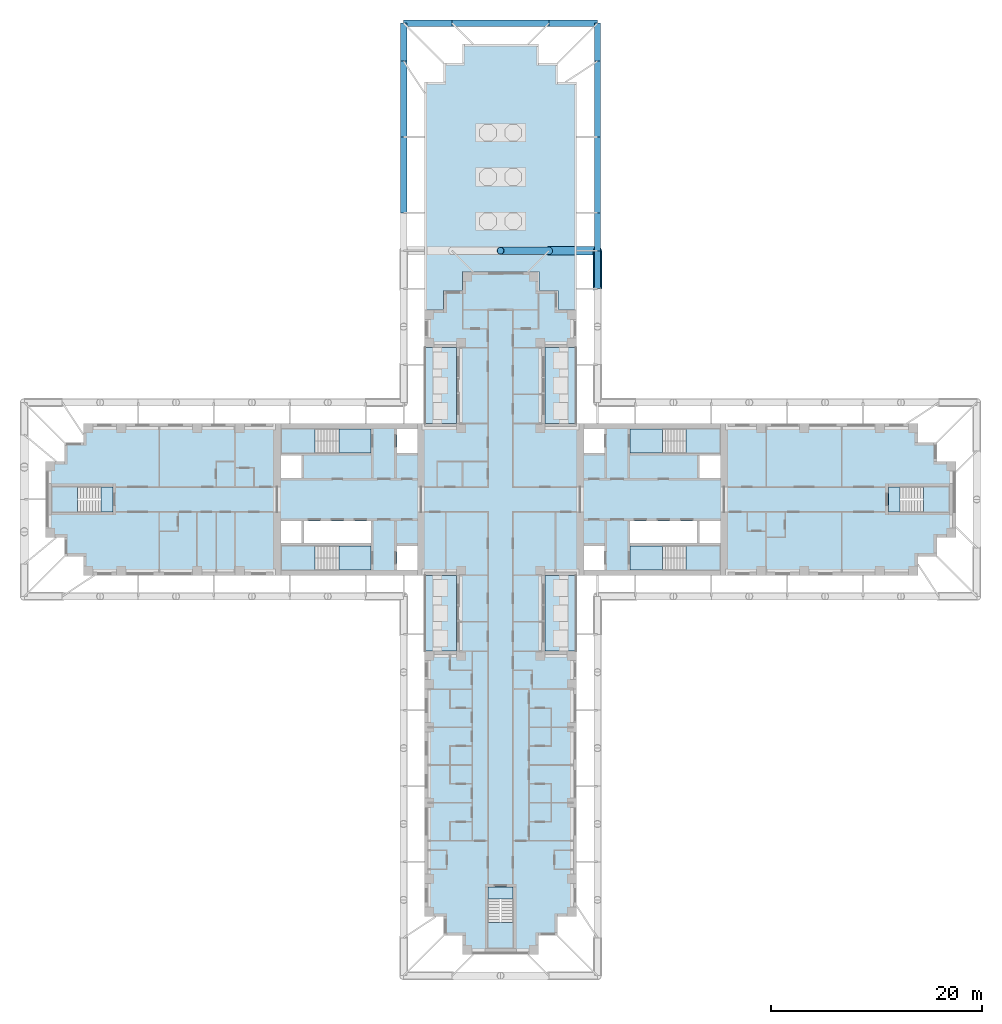
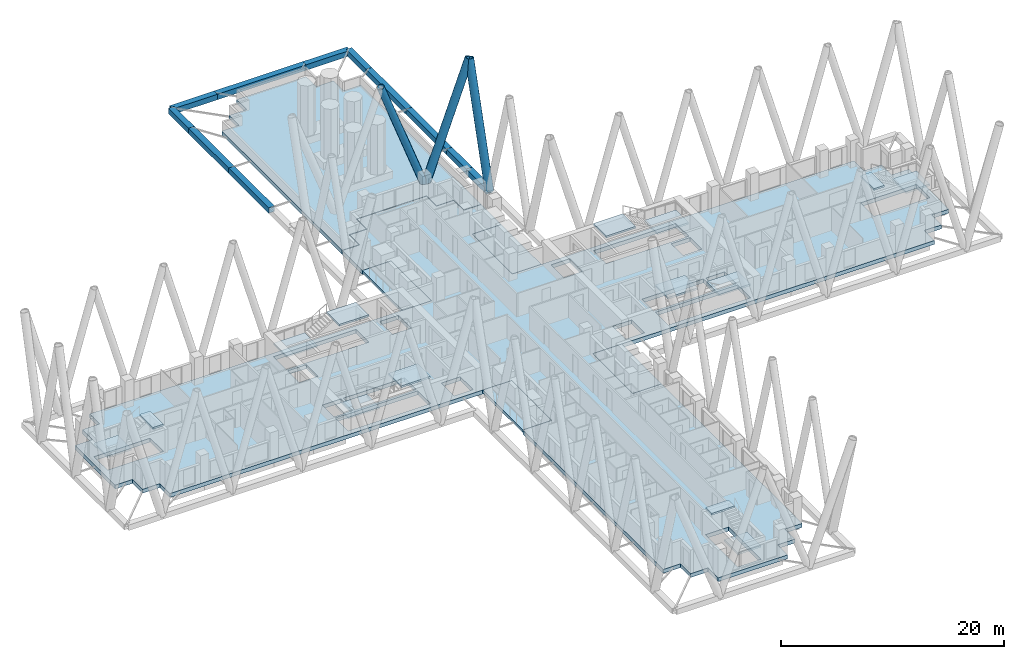
# One storey, part 3 of 16: 20 slabs, 14 members, 7 elements without a shape of their own.
"""IFC4 building model written with IfcOpenShell, lengths in metres."""

from ifc_helpers import new_model, si_unit, direction, frame, origin, origin_2d, place, context, subcontext, project, spatial, polyline, hollow_rectangle, hollow_circle, outline, extrude, material, layer, layer_set, material_profile, profile_set, type_object, element, aggregate, save


model = new_model("IFC4")

# Units and contexts
model_context = context("Model", 3, precision=1e-05, world=origin(), true_north=direction((0.0, 1.0)))
body_context = subcontext(model_context, "Body", "Model", "MODEL_VIEW")
ifc_project = project(units=[si_unit("LENGTHUNIT", "METRE"), si_unit("AREAUNIT", "SQUARE_METRE"), si_unit("VOLUMEUNIT", "CUBIC_METRE"), si_unit("PLANEANGLEUNIT", "RADIAN"), si_unit("MASSUNIT", "GRAM", prefix="KILO")], contexts=[model_context])

# Site, building, storey
site_placement = place(None, origin())
site = spatial("IfcSite", under=ifc_project, at=site_placement, CompositionType="ELEMENT")
building_placement = place(site_placement, origin())
building = spatial("IfcBuilding", under=site, at=building_placement, Name="Fustian Cross Tower", CompositionType="ELEMENT")
storey_placement = place(building_placement, frame((0.0, 0.0, 66.89990234375)))
storey = spatial("IfcBuildingStorey", under=building, at=storey_placement, Name="L20", CompositionType="ELEMENT", Elevation=66.89990234375)

# Members
ifc_material_1 = material(Name="Steel S355", Category="steel")
ifc_material_profile_1 = material_profile(ifc_material_1, hollow_circle(Radius=0.355712890625, WallThickness=0.031982421875, at=origin_2d()), Name="CHS 711x32")
ifc_profile_set_1 = profile_set([ifc_material_profile_1], Name="Steel S355")
member_type_1 = type_object("IfcMemberType", Name="DIAGRID DIAGONAL CHS 711x32", PredefinedType="BRACE", material=ifc_profile_set_1)
member_1_placement = place(storey_placement, frame((4.60009765625, 23.60009765625, -0.39990234375), z_axis=(-0.347815721372, 0.0, 0.937562917338), x_axis=(0.0, -1.0, 0.0)))
element("IfcMember", 1, at=member_1_placement, inside=storey, type_object=member_type_1, Name="Diagrid diagonal N-end 02", PredefinedType="BRACE", context=body_context, shape_type="SweptSolid", body=[
    extrude(hollow_circle(Radius=0.355712890625, WallThickness=0.031982421875, at=origin_2d()), origin(), (0.0, 0.0, 1.0), 13.2255859375),
])
ifc_material_2 = material(Name="Steel S355", Category="steel")
ifc_material_profile_2 = material_profile(ifc_material_2, hollow_circle(Radius=0.406494140625, WallThickness=0.0400390625, at=origin_2d()), Name="CHS 813x40")
ifc_profile_set_2 = profile_set([ifc_material_profile_2], Name="Steel S355")
member_type_2 = type_object("IfcMemberType", Name="DIAGRID DIAGONAL CHS 813x40", PredefinedType="BRACE", material=ifc_profile_set_2)
member_2_placement = place(storey_placement, frame((9.199951171875, 20.0, -0.39990234375), z_axis=(0.0, 0.278819195264, 0.960343613689), x_axis=(-1.0, 0.0, 0.0)))
element("IfcMember", 2, at=member_2_placement, inside=storey, type_object=member_type_2, Name="Diagrid diagonal N-E 04", PredefinedType="BRACE", context=body_context, shape_type="SweptSolid", body=[
    extrude(hollow_circle(Radius=0.406494140625, WallThickness=0.0400390625, at=origin_2d()), origin(), (0.0, 0.0, 1.0), 12.911865234375),
])
member_3_placement = place(storey_placement, frame((4.60009765625, 23.60009765625, -0.39990234375), z_axis=(0.347799494783, 0.0, 0.937568936894), x_axis=(0.0, 1.0, 0.0)))
element("IfcMember", 3, at=member_3_placement, inside=storey, type_object=member_type_2, Name="Diagrid diagonal N-end 01", PredefinedType="BRACE", context=body_context, shape_type="SweptSolid", body=[
    extrude(hollow_circle(Radius=0.406494140625, WallThickness=0.0400390625, at=origin_2d()), origin(), (0.0, 0.0, 1.0), 13.2255859375),
])
ifc_material_3 = material(Name="Steel S355", Category="steel")
ifc_material_profile_3 = material_profile(ifc_material_3, hollow_rectangle(XDim=0.60009765625, YDim=0.60009765625, WallThickness=0.030029296875, at=origin_2d()), Name="RHS 600x600x30")
ifc_profile_set_3 = profile_set([ifc_material_profile_3], Name="Steel S355")
member_type_3 = type_object("IfcMemberType", Name="DIAGRID RING RHS 600x600x30", PredefinedType="MEMBER", material=ifc_profile_set_3)
member_4_placement = place(storey_placement, frame((9.199951171875, 20.0, -0.39990234375), z_axis=(0.0, 1.0, 0.0), x_axis=(-1.0, 0.0, 0.0)))
element("IfcMember", 4, at=member_4_placement, inside=storey, type_object=member_type_3, Name="Diagrid ring L20-10 L20-11", PredefinedType="MEMBER", context=body_context, shape_type="SweptSolid", body=[
    extrude(hollow_rectangle(XDim=0.60009765625, YDim=0.60009765625, WallThickness=0.030029296875, at=origin_2d()), origin(), (0.0, 0.0, 1.0), 3.60009765625),
])
member_5_placement = place(storey_placement, frame((9.199951171875, 23.60009765625, -0.39990234375), z_axis=(0.0, 1.0, 0.0), x_axis=(-1.0, 0.0, 0.0)))
element("IfcMember", 5, at=member_5_placement, inside=storey, type_object=member_type_3, Name="Diagrid ring L20-11 L20-12", PredefinedType="MEMBER", context=body_context, shape_type="SweptSolid", body=[
    extrude(hollow_rectangle(XDim=0.60009765625, YDim=0.60009765625, WallThickness=0.030029296875, at=origin_2d()), origin(), (0.0, 0.0, 1.0), 3.599853515625),
])
member_6_placement = place(storey_placement, frame((9.199951171875, 27.199951171875, -0.39990234375), z_axis=(0.0, 1.0, 0.0), x_axis=(-1.0, 0.0, 0.0)))
element("IfcMember", 6, at=member_6_placement, inside=storey, type_object=member_type_3, Name="Diagrid ring L20-12 L20-13", PredefinedType="MEMBER", context=body_context, shape_type="SweptSolid", body=[
    extrude(hollow_rectangle(XDim=0.60009765625, YDim=0.60009765625, WallThickness=0.030029296875, at=origin_2d()), origin(), (0.0, 0.0, 1.0), 7.199951171875),
])
member_7_placement = place(storey_placement, frame((9.199951171875, 34.39990234375, -0.39990234375), z_axis=(0.0, 1.0, 0.0), x_axis=(-1.0, 0.0, 0.0)))
element("IfcMember", 7, at=member_7_placement, inside=storey, type_object=member_type_3, Name="Diagrid ring L20-13 L20-14", PredefinedType="MEMBER", context=body_context, shape_type="SweptSolid", body=[
    extrude(hollow_rectangle(XDim=0.60009765625, YDim=0.60009765625, WallThickness=0.030029296875, at=origin_2d()), origin(), (0.0, 0.0, 1.0), 7.2001953125),
])
member_8_placement = place(storey_placement, frame((9.199951171875, 41.60009765625, -0.39990234375), z_axis=(0.0, 1.0, 0.0), x_axis=(-1.0, 0.0, 0.0)))
element("IfcMember", 8, at=member_8_placement, inside=storey, type_object=member_type_3, Name="Diagrid ring L20-14 L20-15", PredefinedType="MEMBER", context=body_context, shape_type="SweptSolid", body=[
    extrude(hollow_rectangle(XDim=0.60009765625, YDim=0.60009765625, WallThickness=0.030029296875, at=origin_2d()), origin(), (0.0, 0.0, 1.0), 3.599853515625),
])
member_9_placement = place(storey_placement, frame((9.199951171875, 45.199951171875, -0.39990234375), z_axis=(-1.0, 0.0, 0.0), x_axis=(0.0, -1.0, 0.0)))
element("IfcMember", 9, at=member_9_placement, inside=storey, type_object=member_type_3, Name="Diagrid ring L20-15 L20-17", PredefinedType="MEMBER", context=body_context, shape_type="SweptSolid", body=[
    extrude(hollow_rectangle(XDim=0.60009765625, YDim=0.60009765625, WallThickness=0.030029296875, at=origin_2d()), origin(), (0.0, 0.0, 1.0), 4.599853515625),
])
member_10_placement = place(storey_placement, frame((4.60009765625, 45.199951171875, -0.39990234375), z_axis=(-1.0, 0.0, 0.0), x_axis=(0.0, -1.0, 0.0)))
element("IfcMember", 10, at=member_10_placement, inside=storey, type_object=member_type_3, Name="Diagrid ring L20-17 L20-18", PredefinedType="MEMBER", context=body_context, shape_type="SweptSolid", body=[
    extrude(hollow_rectangle(XDim=0.60009765625, YDim=0.60009765625, WallThickness=0.030029296875, at=origin_2d()), origin(), (0.0, 0.0, 1.0), 9.2001953125),
])
member_11_placement = place(storey_placement, frame((-4.60009765625, 45.199951171875, -0.39990234375), z_axis=(-1.0, 0.0, 0.0), x_axis=(0.0, -1.0, 0.0)))
element("IfcMember", 11, at=member_11_placement, inside=storey, type_object=member_type_3, Name="Diagrid ring L20-18 L20-20", PredefinedType="MEMBER", context=body_context, shape_type="SweptSolid", body=[
    extrude(hollow_rectangle(XDim=0.60009765625, YDim=0.60009765625, WallThickness=0.030029296875, at=origin_2d()), origin(), (0.0, 0.0, 1.0), 4.599853515625),
])
member_12_placement = place(storey_placement, frame((-9.199951171875, 45.199951171875, -0.39990234375), z_axis=(0.0, -1.0, 0.0), x_axis=(1.0, 0.0, 0.0)))
element("IfcMember", 12, at=member_12_placement, inside=storey, type_object=member_type_3, Name="Diagrid ring L20-20 L20-21", PredefinedType="MEMBER", context=body_context, shape_type="SweptSolid", body=[
    extrude(hollow_rectangle(XDim=0.60009765625, YDim=0.60009765625, WallThickness=0.030029296875, at=origin_2d()), origin(), (0.0, 0.0, 1.0), 3.599853515625),
])
member_13_placement = place(storey_placement, frame((-9.199951171875, 41.60009765625, -0.39990234375), z_axis=(0.0, -1.0, 0.0), x_axis=(1.0, 0.0, 0.0)))
element("IfcMember", 13, at=member_13_placement, inside=storey, type_object=member_type_3, Name="Diagrid ring L20-21 L20-22", PredefinedType="MEMBER", context=body_context, shape_type="SweptSolid", body=[
    extrude(hollow_rectangle(XDim=0.60009765625, YDim=0.60009765625, WallThickness=0.030029296875, at=origin_2d()), origin(), (0.0, 0.0, 1.0), 7.2001953125),
])
member_14_placement = place(storey_placement, frame((-9.199951171875, 34.39990234375, -0.39990234375), z_axis=(0.0, -1.0, 0.0), x_axis=(1.0, 0.0, 0.0)))
element("IfcMember", 14, at=member_14_placement, inside=storey, type_object=member_type_3, Name="Diagrid ring L20-22 L20-23", PredefinedType="MEMBER", context=body_context, shape_type="SweptSolid", body=[
    extrude(hollow_rectangle(XDim=0.60009765625, YDim=0.60009765625, WallThickness=0.030029296875, at=origin_2d()), origin(), (0.0, 0.0, 1.0), 7.199951171875),
])

# Slabs
ifc_material_4 = material(Name="Concrete C40/50", Category="concrete")
ifc_layer_1 = layer(ifc_material_4, 0.300048828125)
ifc_layer_set_1 = layer_set([ifc_layer_1], Name="Concrete C40/50")
slab_type_1 = type_object("IfcSlabType", Name="BS1 BALCONY SLAB 300", PredefinedType="FLOOR", material=ifc_layer_set_1)
slab_1_placement = place(storey_placement, frame((0.0, 0.0, -0.2998046875)))
element("IfcSlab", 15, at=slab_1_placement, inside=storey, type_object=slab_type_1, Name="Balcony slab", PredefinedType="FLOOR", context=body_context, shape_type="SweptSolid", body=[
    extrude(outline(polyline([(4.199951171875, 7.199951171875), (7.199951171875, 7.199951171875), (7.199951171875, 14.39990234375), (4.199951171875, 14.39990234375), (4.199951171875, 7.199951171875)])), origin(), (0.0, 0.0, 1.0), 0.2998046875),
])
slab_2_placement = place(storey_placement, frame((0.0, 0.0, -0.2998046875)))
element("IfcSlab", 16, at=slab_2_placement, inside=storey, type_object=slab_type_1, Name="Balcony slab", PredefinedType="FLOOR", context=body_context, shape_type="SweptSolid", body=[
    extrude(outline(polyline([(-7.199951171875, 7.199951171875), (-4.199951171875, 7.199951171875), (-4.199951171875, 14.39990234375), (-7.199951171875, 14.39990234375), (-7.199951171875, 7.199951171875)])), origin(), (0.0, 0.0, 1.0), 0.2998046875),
])
slab_3_placement = place(storey_placement, frame((0.0, 0.0, -0.2998046875)))
element("IfcSlab", 17, at=slab_3_placement, inside=storey, type_object=slab_type_1, Name="Balcony slab", PredefinedType="FLOOR", context=body_context, shape_type="SweptSolid", body=[
    extrude(outline(polyline([(4.199951171875, -14.39990234375), (7.199951171875, -14.39990234375), (7.199951171875, -7.199951171875), (4.199951171875, -7.199951171875), (4.199951171875, -14.39990234375)])), origin(), (0.0, 0.0, 1.0), 0.2998046875),
])
slab_4_placement = place(storey_placement, frame((0.0, 0.0, -0.2998046875)))
element("IfcSlab", 18, at=slab_4_placement, inside=storey, type_object=slab_type_1, Name="Balcony slab", PredefinedType="FLOOR", context=body_context, shape_type="SweptSolid", body=[
    extrude(outline(polyline([(-7.199951171875, -14.39990234375), (-4.199951171875, -14.39990234375), (-4.199951171875, -7.199951171875), (-7.199951171875, -7.199951171875), (-7.199951171875, -14.39990234375)])), origin(), (0.0, 0.0, 1.0), 0.2998046875),
])
ifc_material_5 = material(Name="Concrete C40/50", Category="concrete")
ifc_layer_2 = layer(ifc_material_5, 0.425048828125)
ifc_layer_set_2 = layer_set([ifc_layer_2], Name="Concrete C40/50")
slab_type_2 = type_object("IfcSlabType", Name="FLAT SLAB 425", PredefinedType="FLOOR", material=ifc_layer_set_2)
slab_5_placement = place(storey_placement, frame((0.0, 0.0, -0.4248046875)))
element("IfcSlab", 19, at=slab_5_placement, inside=storey, type_object=slab_type_2, Name="FLOOR SLAB L20-1", PredefinedType="FLOOR", context=body_context, shape_type="SweptSolid", body=[
    extrude(outline(polyline([(-4.199951171875, -7.199951171875), (-39.60009765625, -7.199951171875), (-39.60009765625, -5.39990234375), (-41.39990234375, -5.39990234375), (-41.39990234375, -3.60009765625), (-43.199951171875, -3.60009765625), (-43.199951171875, 3.60009765625), (-41.39990234375, 3.60009765625), (-41.39990234375, 5.39990234375), (-39.60009765625, 5.39990234375), (-39.60009765625, 7.199951171875), (-4.199951171875, 7.199951171875), (-4.199951171875, 14.39990234375), (-7.199951171875, 14.39990234375), (-7.199951171875, 18.0), (-5.39990234375, 18.0), (-5.39990234375, 19.800048828125), (-3.60009765625, 19.800048828125), (-3.60009765625, 21.60009765625), (3.60009765625, 21.60009765625), (3.60009765625, 19.800048828125), (5.39990234375, 19.800048828125), (5.39990234375, 18.0), (7.199951171875, 18.0), (7.199951171875, 14.39990234375), (4.199951171875, 14.39990234375), (4.199951171875, 7.199951171875), (39.60009765625, 7.199951171875), (39.60009765625, 5.39990234375), (41.39990234375, 5.39990234375), (41.39990234375, 3.60009765625), (43.199951171875, 3.60009765625), (43.199951171875, -3.60009765625), (41.39990234375, -3.60009765625), (41.39990234375, -5.39990234375), (39.60009765625, -5.39990234375), (39.60009765625, -7.199951171875), (4.199951171875, -7.199951171875), (4.199951171875, -14.39990234375), (7.199951171875, -14.39990234375), (7.199951171875, -39.60009765625), (5.39990234375, -39.60009765625), (5.39990234375, -41.39990234375), (3.60009765625, -41.39990234375), (3.60009765625, -43.199951171875), (-3.60009765625, -43.199951171875), (-3.60009765625, -41.39990234375), (-5.39990234375, -41.39990234375), (-5.39990234375, -39.60009765625), (-7.199951171875, -39.60009765625), (-7.199951171875, -14.39990234375), (-4.199951171875, -14.39990234375), (-4.199951171875, -7.199951171875)]), holes=[polyline([(20.85009765625, -2.050048828125), (18.89990234375, -2.050048828125), (18.89990234375, -4.14990234375), (20.85009765625, -4.14990234375), (20.85009765625, -2.050048828125)]), polyline([(20.85009765625, 2.050048828125), (20.85009765625, 4.14990234375), (18.89990234375, 4.14990234375), (18.89990234375, 2.050048828125), (20.85009765625, 2.050048828125)]), polyline([(7.89990234375, 4.39990234375), (9.85009765625, 4.39990234375), (9.85009765625, 6.699951171875), (7.89990234375, 6.699951171875), (7.89990234375, 4.39990234375)]), polyline([(7.89990234375, -4.39990234375), (7.89990234375, -6.699951171875), (9.85009765625, -6.699951171875), (9.85009765625, -4.39990234375), (7.89990234375, -4.39990234375)]), polyline([(-18.89990234375, -2.050048828125), (-20.85009765625, -2.050048828125), (-20.85009765625, -4.14990234375), (-18.89990234375, -4.14990234375), (-18.89990234375, -2.050048828125)]), polyline([(-18.89990234375, 2.050048828125), (-18.89990234375, 4.14990234375), (-20.85009765625, 4.14990234375), (-20.85009765625, 2.050048828125), (-18.89990234375, 2.050048828125)]), polyline([(-9.85009765625, 4.39990234375), (-7.89990234375, 4.39990234375), (-7.89990234375, 6.699951171875), (-9.85009765625, 6.699951171875), (-9.85009765625, 4.39990234375)]), polyline([(-9.85009765625, -4.39990234375), (-9.85009765625, -6.699951171875), (-7.89990234375, -6.699951171875), (-7.89990234375, -4.39990234375), (-9.85009765625, -4.39990234375)]), polyline([(18.64990234375, -2.050048828125), (12.300048828125, -2.050048828125), (12.300048828125, -4.14990234375), (18.64990234375, -4.14990234375), (18.64990234375, -2.050048828125)]), polyline([(-12.300048828125, -4.14990234375), (-12.300048828125, -2.050048828125), (-18.64990234375, -2.050048828125), (-18.64990234375, -4.14990234375), (-12.300048828125, -4.14990234375)]), polyline([(12.300048828125, 4.39990234375), (20.85009765625, 4.39990234375), (20.85009765625, 6.699951171875), (12.300048828125, 6.699951171875), (12.300048828125, 4.39990234375)]), polyline([(12.300048828125, -4.39990234375), (12.300048828125, -6.699951171875), (20.85009765625, -6.699951171875), (20.85009765625, -4.39990234375), (12.300048828125, -4.39990234375)]), polyline([(-12.300048828125, 6.699951171875), (-20.85009765625, 6.699951171875), (-20.85009765625, 4.39990234375), (-12.300048828125, 4.39990234375), (-12.300048828125, 6.699951171875)]), polyline([(-12.300048828125, -6.699951171875), (-12.300048828125, -4.39990234375), (-20.85009765625, -4.39990234375), (-20.85009765625, -6.699951171875), (-12.300048828125, -6.699951171875)]), polyline([(-1.199951171875, -42.60009765625), (1.199951171875, -42.60009765625), (1.199951171875, -36.800048828125), (-1.199951171875, -36.800048828125), (-1.199951171875, -42.60009765625)]), polyline([(36.800048828125, 1.199951171875), (36.800048828125, -1.199951171875), (42.60009765625, -1.199951171875), (42.60009765625, 1.199951171875), (36.800048828125, 1.199951171875)]), polyline([(-36.800048828125, 1.199951171875), (-42.60009765625, 1.199951171875), (-42.60009765625, -1.199951171875), (-36.800048828125, -1.199951171875), (-36.800048828125, 1.199951171875)])]), origin(), (0.0, 0.0, 1.0), 0.4248046875),
])

# Stair, slabs
ifc_material_6 = material(Name="Concrete C50/60", Category="concrete")
stair_type_1 = type_object("IfcStairType", Name="STAIR 1150 HALF TURN", PredefinedType="HALF_TURN_STAIR", material=ifc_material_6)
stair_1_placement = place(storey_placement, origin())
stair_1 = element("IfcStair", 20, at=stair_1_placement, inside=storey, type_object=stair_type_1, Name="Stair ST1", PredefinedType="HALF_TURN_STAIR")
ifc_material_7 = material(Name="Concrete C50/60", Category="concrete")
ifc_layer_3 = layer(ifc_material_7, 0.199951171875)
ifc_layer_set_3 = layer_set([ifc_layer_3], Name="Concrete C50/60")
slab_type_3 = type_object("IfcSlabType", Name="STAIR LANDING", PredefinedType="LANDING", material=ifc_layer_set_3)
slab_6_placement = place(storey_placement, frame((0.0, 0.0, 1.300048828125)))
slab_6 = element("IfcSlab", 21, at=slab_6_placement, type_object=slab_type_3, Name="ST1 landing 1", PredefinedType="LANDING", context=body_context, shape_type="SweptSolid", body=[
    extrude(outline(polyline([(17.590087890625, 4.39990234375), (20.85009765625, 4.39990234375), (20.85009765625, 6.699951171875), (17.590087890625, 6.699951171875), (17.590087890625, 4.39990234375)])), origin(), (0.0, 0.0, 1.0), 0.199951171875),
])
slab_7_placement = place(storey_placement, frame((0.0, 0.0, 2.800048828125)))
slab_7 = element("IfcSlab", 22, at=slab_7_placement, type_object=slab_type_3, Name="ST1 landing 2", PredefinedType="LANDING", context=body_context, shape_type="SweptSolid", body=[
    extrude(outline(polyline([(12.300048828125, 4.39990234375), (15.35009765625, 4.39990234375), (15.35009765625, 6.699951171875), (12.300048828125, 6.699951171875), (12.300048828125, 4.39990234375)])), origin(), (0.0, 0.0, 1.0), 0.199951171875),
])
aggregate(stair_1, [slab_6, slab_7])

stair_2_placement = place(storey_placement, origin())
stair_2 = element("IfcStair", 23, at=stair_2_placement, inside=storey, type_object=stair_type_1, Name="Stair ST2", PredefinedType="HALF_TURN_STAIR")
slab_8_placement = place(storey_placement, frame((0.0, 0.0, 1.300048828125)))
slab_8 = element("IfcSlab", 24, at=slab_8_placement, type_object=slab_type_3, Name="ST2 landing 1", PredefinedType="LANDING", context=body_context, shape_type="SweptSolid", body=[
    extrude(outline(polyline([(17.590087890625, -4.39990234375), (20.85009765625, -4.39990234375), (20.85009765625, -6.699951171875), (17.590087890625, -6.699951171875), (17.590087890625, -4.39990234375)])), origin(), (0.0, 0.0, 1.0), 0.199951171875),
])
slab_9_placement = place(storey_placement, frame((0.0, 0.0, 2.800048828125)))
slab_9 = element("IfcSlab", 25, at=slab_9_placement, type_object=slab_type_3, Name="ST2 landing 2", PredefinedType="LANDING", context=body_context, shape_type="SweptSolid", body=[
    extrude(outline(polyline([(12.300048828125, -4.39990234375), (15.35009765625, -4.39990234375), (15.35009765625, -6.699951171875), (12.300048828125, -6.699951171875), (12.300048828125, -4.39990234375)])), origin(), (0.0, 0.0, 1.0), 0.199951171875),
])
aggregate(stair_2, [slab_8, slab_9])

stair_3_placement = place(storey_placement, origin())
stair_3 = element("IfcStair", 26, at=stair_3_placement, inside=storey, type_object=stair_type_1, Name="Stair ST3", PredefinedType="HALF_TURN_STAIR")
slab_10_placement = place(storey_placement, frame((0.0, 0.0, 1.300048828125)))
slab_10 = element("IfcSlab", 27, at=slab_10_placement, type_object=slab_type_3, Name="ST3 landing 1", PredefinedType="LANDING", context=body_context, shape_type="SweptSolid", body=[
    extrude(outline(polyline([(-17.590087890625, 4.39990234375), (-20.85009765625, 4.39990234375), (-20.85009765625, 6.699951171875), (-17.590087890625, 6.699951171875), (-17.590087890625, 4.39990234375)])), origin(), (0.0, 0.0, 1.0), 0.199951171875),
])
slab_11_placement = place(storey_placement, frame((0.0, 0.0, 2.800048828125)))
slab_11 = element("IfcSlab", 28, at=slab_11_placement, type_object=slab_type_3, Name="ST3 landing 2", PredefinedType="LANDING", context=body_context, shape_type="SweptSolid", body=[
    extrude(outline(polyline([(-12.300048828125, 4.39990234375), (-15.35009765625, 4.39990234375), (-15.35009765625, 6.699951171875), (-12.300048828125, 6.699951171875), (-12.300048828125, 4.39990234375)])), origin(), (0.0, 0.0, 1.0), 0.199951171875),
])
aggregate(stair_3, [slab_10, slab_11])

stair_4_placement = place(storey_placement, origin())
stair_4 = element("IfcStair", 29, at=stair_4_placement, inside=storey, type_object=stair_type_1, Name="Stair ST4", PredefinedType="HALF_TURN_STAIR")
slab_12_placement = place(storey_placement, frame((0.0, 0.0, 1.300048828125)))
slab_12 = element("IfcSlab", 30, at=slab_12_placement, type_object=slab_type_3, Name="ST4 landing 1", PredefinedType="LANDING", context=body_context, shape_type="SweptSolid", body=[
    extrude(outline(polyline([(-17.590087890625, -4.39990234375), (-20.85009765625, -4.39990234375), (-20.85009765625, -6.699951171875), (-17.590087890625, -6.699951171875), (-17.590087890625, -4.39990234375)])), origin(), (0.0, 0.0, 1.0), 0.199951171875),
])
slab_13_placement = place(storey_placement, frame((0.0, 0.0, 2.800048828125)))
slab_13 = element("IfcSlab", 31, at=slab_13_placement, type_object=slab_type_3, Name="ST4 landing 2", PredefinedType="LANDING", context=body_context, shape_type="SweptSolid", body=[
    extrude(outline(polyline([(-12.300048828125, -4.39990234375), (-15.35009765625, -4.39990234375), (-15.35009765625, -6.699951171875), (-12.300048828125, -6.699951171875), (-12.300048828125, -4.39990234375)])), origin(), (0.0, 0.0, 1.0), 0.199951171875),
])
aggregate(stair_4, [slab_12, slab_13])

ifc_material_8 = material(Name="Concrete C50/60", Category="concrete")
stair_type_2 = type_object("IfcStairType", Name="STAIR 1100 HALF TURN", PredefinedType="HALF_TURN_STAIR", material=ifc_material_8)
stair_5_placement = place(storey_placement, origin())
stair_5 = element("IfcStair", 32, at=stair_5_placement, inside=storey, type_object=stair_type_2, Name="Stair ST6", PredefinedType="HALF_TURN_STAIR")
slab_14_placement = place(storey_placement, frame((0.0, 0.0, 1.300048828125)))
slab_14 = element("IfcSlab", 33, at=slab_14_placement, type_object=slab_type_3, Name="ST6 landing 1", PredefinedType="LANDING", context=body_context, shape_type="SweptSolid", body=[
    extrude(outline(polyline([(-1.199951171875, -40.139892578125), (-1.199951171875, -42.60009765625), (1.199951171875, -42.60009765625), (1.199951171875, -40.139892578125), (-1.199951171875, -40.139892578125)])), origin(), (0.0, 0.0, 1.0), 0.199951171875),
])
slab_15_placement = place(storey_placement, frame((0.0, 0.0, 2.800048828125)))
slab_15 = element("IfcSlab", 34, at=slab_15_placement, type_object=slab_type_3, Name="ST6 landing 2", PredefinedType="LANDING", context=body_context, shape_type="SweptSolid", body=[
    extrude(outline(polyline([(-1.199951171875, -36.800048828125), (-1.199951171875, -37.89990234375), (1.199951171875, -37.89990234375), (1.199951171875, -36.800048828125), (-1.199951171875, -36.800048828125)])), origin(), (0.0, 0.0, 1.0), 0.199951171875),
])
aggregate(stair_5, [slab_14, slab_15])

stair_6_placement = place(storey_placement, origin())
stair_6 = element("IfcStair", 35, at=stair_6_placement, inside=storey, type_object=stair_type_2, Name="Stair ST8", PredefinedType="HALF_TURN_STAIR")
slab_16_placement = place(storey_placement, frame((0.0, 0.0, 1.300048828125)))
slab_16 = element("IfcSlab", 36, at=slab_16_placement, type_object=slab_type_3, Name="ST8 landing 1", PredefinedType="LANDING", context=body_context, shape_type="SweptSolid", body=[
    extrude(outline(polyline([(40.139892578125, -1.199951171875), (42.60009765625, -1.199951171875), (42.60009765625, 1.199951171875), (40.139892578125, 1.199951171875), (40.139892578125, -1.199951171875)])), origin(), (0.0, 0.0, 1.0), 0.199951171875),
])
slab_17_placement = place(storey_placement, frame((0.0, 0.0, 2.800048828125)))
slab_17 = element("IfcSlab", 37, at=slab_17_placement, type_object=slab_type_3, Name="ST8 landing 2", PredefinedType="LANDING", context=body_context, shape_type="SweptSolid", body=[
    extrude(outline(polyline([(36.800048828125, -1.199951171875), (37.89990234375, -1.199951171875), (37.89990234375, 1.199951171875), (36.800048828125, 1.199951171875), (36.800048828125, -1.199951171875)])), origin(), (0.0, 0.0, 1.0), 0.199951171875),
])
aggregate(stair_6, [slab_16, slab_17])

stair_7_placement = place(storey_placement, origin())
stair_7 = element("IfcStair", 38, at=stair_7_placement, inside=storey, type_object=stair_type_2, Name="Stair ST9", PredefinedType="HALF_TURN_STAIR")
slab_18_placement = place(storey_placement, frame((0.0, 0.0, 1.300048828125)))
slab_18 = element("IfcSlab", 39, at=slab_18_placement, type_object=slab_type_3, Name="ST9 landing 1", PredefinedType="LANDING", context=body_context, shape_type="SweptSolid", body=[
    extrude(outline(polyline([(-40.139892578125, -1.199951171875), (-42.60009765625, -1.199951171875), (-42.60009765625, 1.199951171875), (-40.139892578125, 1.199951171875), (-40.139892578125, -1.199951171875)])), origin(), (0.0, 0.0, 1.0), 0.199951171875),
])
slab_19_placement = place(storey_placement, frame((0.0, 0.0, 2.800048828125)))
slab_19 = element("IfcSlab", 40, at=slab_19_placement, type_object=slab_type_3, Name="ST9 landing 2", PredefinedType="LANDING", context=body_context, shape_type="SweptSolid", body=[
    extrude(outline(polyline([(-36.800048828125, -1.199951171875), (-37.89990234375, -1.199951171875), (-37.89990234375, 1.199951171875), (-36.800048828125, 1.199951171875), (-36.800048828125, -1.199951171875)])), origin(), (0.0, 0.0, 1.0), 0.199951171875),
])
aggregate(stair_7, [slab_18, slab_19])

# Slab
ifc_material_9 = material(Name="Concrete C40/50", Category="concrete")
ifc_layer_4 = layer(ifc_material_9, 0.425048828125)
ifc_layer_set_4 = layer_set([ifc_layer_4], Name="Concrete C40/50")
slab_type_4 = type_object("IfcSlabType", Name="TERRACE SLAB 425", PredefinedType="ROOF", material=ifc_layer_set_4)
slab_20_placement = place(storey_placement, frame((0.0, 0.0, -0.4248046875)))
element("IfcSlab", 41, at=slab_20_placement, inside=storey, type_object=slab_type_4, Name="Terrace slab L20 1", PredefinedType="ROOF", context=body_context, shape_type="SweptSolid", body=[
    extrude(outline(polyline([(-5.39990234375, 39.60009765625), (-7.199951171875, 39.60009765625), (-7.199951171875, 18.030029296875), (-5.429931640625, 18.030029296875), (-5.429931640625, 19.830078125), (-3.6298828125, 19.830078125), (-3.6298828125, 21.6298828125), (3.6298828125, 21.6298828125), (3.6298828125, 19.830078125), (5.429931640625, 19.830078125), (5.429931640625, 18.030029296875), (7.199951171875, 18.030029296875), (7.199951171875, 39.60009765625), (5.39990234375, 39.60009765625), (5.39990234375, 41.39990234375), (3.60009765625, 41.39990234375), (3.60009765625, 43.199951171875), (-3.60009765625, 43.199951171875), (-3.60009765625, 41.39990234375), (-5.39990234375, 41.39990234375), (-5.39990234375, 39.60009765625)])), origin(), (0.0, 0.0, 1.0), 0.4248046875),
])

save(model, "model.ifc")
